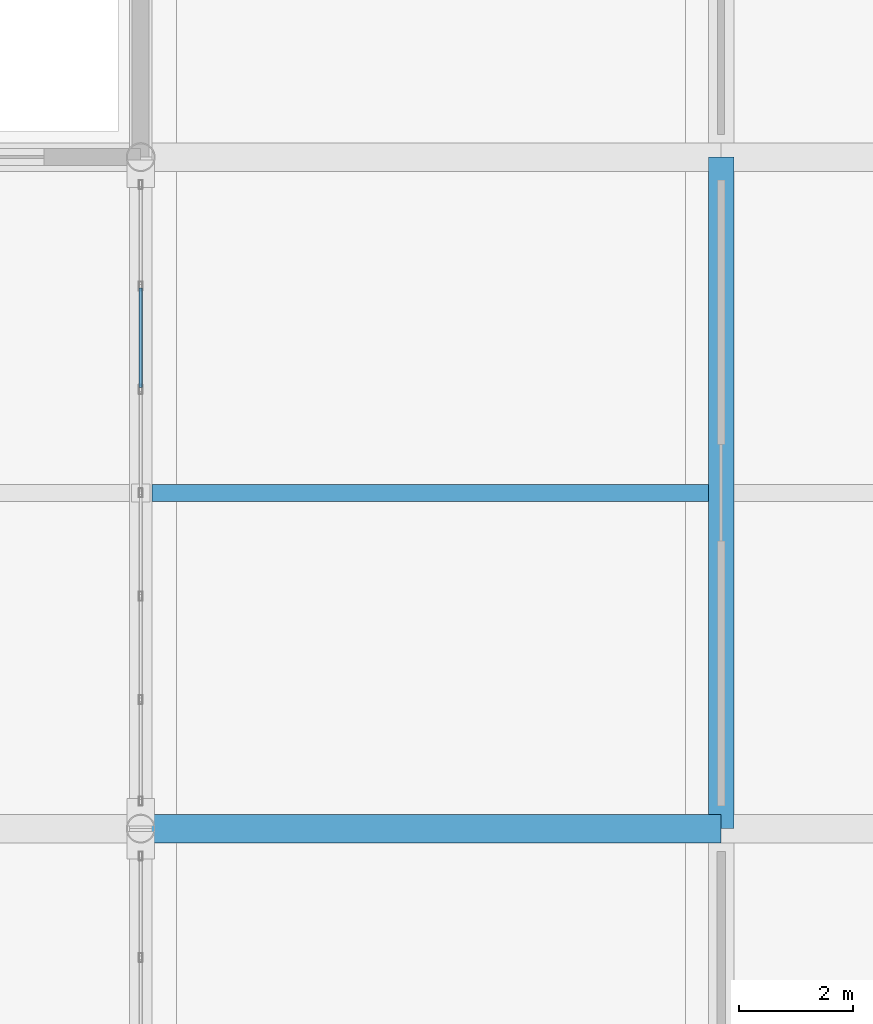
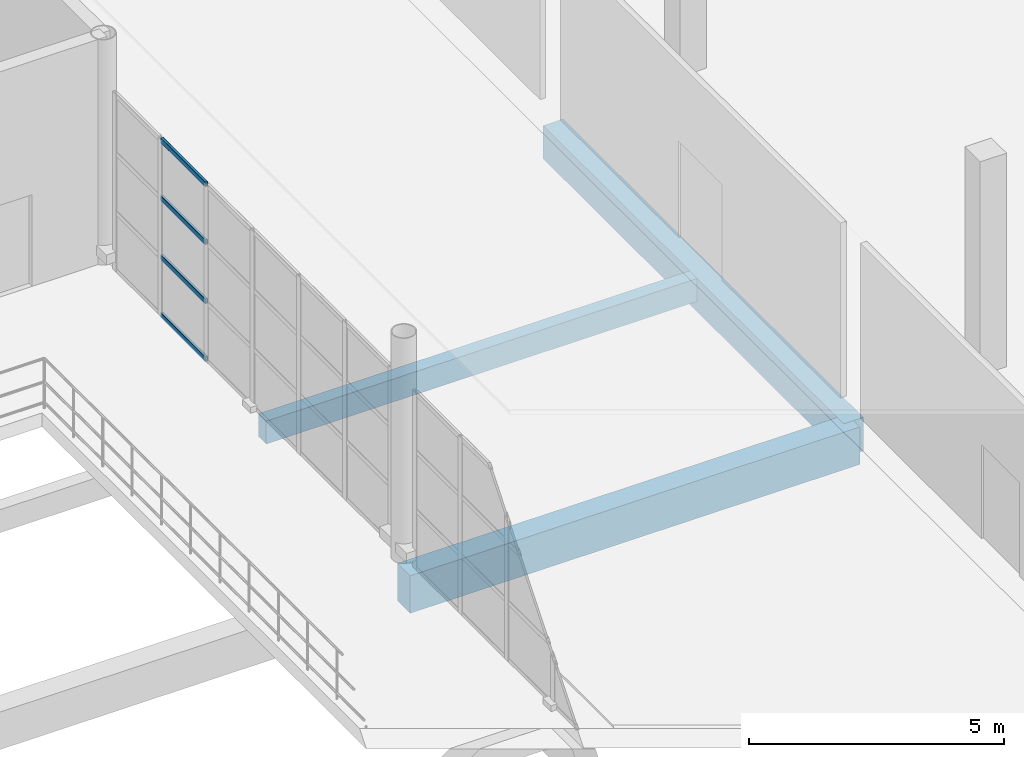
# One storey, part 73 of 175: 4 members, 3 beams, 1 element without a shape of its own.
"""IFC4 building model written with IfcOpenShell, lengths in metres."""

from ifc_helpers import new_model, si_unit, direction, frame, origin, origin_2d, place, context, subcontext, project, spatial, rectangle, hollow_rectangle, extrude, material, material_profile, profile_set, type_object, element, aggregate, save


model = new_model("IFC4")

# Units and contexts
model_context = context("Model", 3, precision=1e-05, world=origin(), true_north=direction((0.0, 1.0)))
body_context = subcontext(model_context, "Body", "Model", "MODEL_VIEW")
ifc_project = project(units=[si_unit("LENGTHUNIT", "METRE"), si_unit("AREAUNIT", "SQUARE_METRE"), si_unit("VOLUMEUNIT", "CUBIC_METRE"), si_unit("PLANEANGLEUNIT", "RADIAN"), si_unit("MASSUNIT", "GRAM", prefix="KILO")], contexts=[model_context])

# Site, building, storey
site_placement = place(None, origin())
site = spatial("IfcSite", under=ifc_project, at=site_placement, CompositionType="ELEMENT")
building_placement = place(site_placement, origin())
building = spatial("IfcBuilding", under=site, at=building_placement, Name="Brelvane Convention Centre", CompositionType="ELEMENT")
storey_placement = place(building_placement, frame((0.0, 0.0, 5.39990234375)))
storey = spatial("IfcBuildingStorey", under=building, at=storey_placement, Name="L01", CompositionType="ELEMENT", Elevation=5.39990234375)

# Curtain wall, members
ifc_material_1 = material(Name="Anodised Aluminium Alloy 6063-T6", Category="aluminium")
curtain_wall_type = type_object("IfcCurtainWallType", Name="Curtain Wall CW-CONC", PredefinedType="USERDEFINED", material=ifc_material_1)
curtain_wall_placement = place(storey_placement, origin())
curtain_wall = element("IfcCurtainWall", 1, at=curtain_wall_placement, inside=storey, type_object=curtain_wall_type, Name="Curtain Wall CW-CONC L01-GAL-ATRIUM-E-3", ObjectType="UNITISED", PredefinedType="USERDEFINED")
ifc_material_2 = material(Name="Anodised Aluminium Alloy 6063-T6", Category="aluminium")
ifc_material_profile_1 = material_profile(ifc_material_2, hollow_rectangle(XDim=0.06005859375, YDim=0.1201171875, WallThickness=0.00390625, InnerFilletRadius=0.00390625, OuterFilletRadius=0.008056640625, at=origin_2d()), Name="ALU-T 120x60x4.0")
ifc_profile_set_1 = profile_set([ifc_material_profile_1], Name="Anodised Aluminium Alloy 6063-T6")
member_type = type_object("IfcMemberType", Name="Curtain Transom CW-T3", PredefinedType="USERDEFINED", material=ifc_profile_set_1)
member_1_placement = place(storey_placement, frame((163.199951171875, 71.94921875, 0.030029296875), z_axis=(0.0, 1.0, 0.0), x_axis=(-1.0, 0.0, 0.0)))
member_1 = element("IfcMember", 2, at=member_1_placement, type_object=member_type, Name="CW-CONC transom 5.1", ObjectType="TRANSOM", PredefinedType="USERDEFINED", context=body_context, shape_type="SweptSolid", body=[
    extrude(hollow_rectangle(XDim=0.06005859375, YDim=0.1201171875, WallThickness=0.00390625, InnerFilletRadius=0.00390625, OuterFilletRadius=0.008056640625, at=origin_2d()), origin(), (0.0, 0.0, 1.0), 1.751708984375),
])
member_2_placement = place(storey_placement, frame((163.199951171875, 71.94921875, 1.416748046875), z_axis=(0.0, 1.0, 0.0), x_axis=(-1.0, 0.0, 0.0)))
member_2 = element("IfcMember", 3, at=member_2_placement, type_object=member_type, Name="CW-CONC transom 5.2", ObjectType="TRANSOM", PredefinedType="USERDEFINED", context=body_context, shape_type="SweptSolid", body=[
    extrude(hollow_rectangle(XDim=0.06005859375, YDim=0.1201171875, WallThickness=0.00390625, InnerFilletRadius=0.00390625, OuterFilletRadius=0.008056640625, at=origin_2d()), origin(), (0.0, 0.0, 1.0), 1.751708984375),
])
member_3_placement = place(storey_placement, frame((163.199951171875, 71.94921875, 2.83349609375), z_axis=(0.0, 1.0, 0.0), x_axis=(-1.0, 0.0, 0.0)))
member_3 = element("IfcMember", 4, at=member_3_placement, type_object=member_type, Name="CW-CONC transom 5.3", ObjectType="TRANSOM", PredefinedType="USERDEFINED", context=body_context, shape_type="SweptSolid", body=[
    extrude(hollow_rectangle(XDim=0.06005859375, YDim=0.1201171875, WallThickness=0.00390625, InnerFilletRadius=0.00390625, OuterFilletRadius=0.008056640625, at=origin_2d()), origin(), (0.0, 0.0, 1.0), 1.751708984375),
])
member_4_placement = place(storey_placement, frame((163.199951171875, 71.94921875, 4.22021484375), z_axis=(0.0, 1.0, 0.0), x_axis=(-1.0, 0.0, 0.0)))
member_4 = element("IfcMember", 5, at=member_4_placement, type_object=member_type, Name="CW-CONC transom 5.4", ObjectType="TRANSOM", PredefinedType="USERDEFINED", context=body_context, shape_type="SweptSolid", body=[
    extrude(hollow_rectangle(XDim=0.06005859375, YDim=0.1201171875, WallThickness=0.00390625, InnerFilletRadius=0.00390625, OuterFilletRadius=0.008056640625, at=origin_2d()), origin(), (0.0, 0.0, 1.0), 1.751708984375),
])
aggregate(curtain_wall, [member_1, member_2, member_3, member_4])

# Beams
ifc_material_3 = material(Name="Concrete M40", Category="concrete")
ifc_material_profile_2 = material_profile(ifc_material_3, rectangle(XDim=0.5, YDim=0.89990234375, at=origin_2d()), Name="RC 500x900")
ifc_profile_set_2 = profile_set([ifc_material_profile_2], Name="Concrete M40")
beam_type_1 = type_object("IfcBeamType", Name="RC Beam B-RC4 (RC 500x900)", PredefinedType="BEAM", material=ifc_profile_set_2)
beam_1_placement = place(storey_placement, frame((163.199951171875, 64.199951171875, -0.77001953125), z_axis=(1.0, 0.0, 0.0), x_axis=(0.0, 1.0, 0.0)))
element("IfcBeam", 6, at=beam_1_placement, inside=storey, type_object=beam_type_1, Name="L01 Beam 17-18/G", PredefinedType="BEAM", context=body_context, shape_type="SweptSolid", body=[
    extrude(rectangle(XDim=0.5, YDim=0.89990234375, at=origin_2d()), origin(), (0.0, 0.0, 1.0), 10.199951171875),
])
ifc_material_4 = material(Name="Concrete M40", Category="concrete")
ifc_material_profile_3 = material_profile(ifc_material_4, rectangle(XDim=0.449951171875, YDim=0.800048828125, at=origin_2d()), Name="RC 450x800")
ifc_profile_set_3 = profile_set([ifc_material_profile_3], Name="Concrete M40")
beam_type_2 = type_object("IfcBeamType", Name="RC Beam B-RC5 (RC 450x800)", PredefinedType="BEAM", material=ifc_profile_set_3)
beam_2_placement = place(storey_placement, frame((173.39990234375, 64.199951171875, -0.719970703125), z_axis=(0.0, 1.0, 0.0), x_axis=(-1.0, 0.0, 0.0)))
element("IfcBeam", 7, at=beam_2_placement, inside=storey, type_object=beam_type_2, Name="L01 Girder 18/G-H", PredefinedType="BEAM", context=body_context, shape_type="SweptSolid", body=[
    extrude(rectangle(XDim=0.449951171875, YDim=0.800048828125, at=origin_2d()), origin(), (0.0, 0.0, 1.0), 11.800048828125),
])
ifc_material_5 = material(Name="Concrete M40", Category="concrete")
ifc_material_profile_4 = material_profile(ifc_material_5, rectangle(XDim=0.300048828125, YDim=0.550048828125, at=origin_2d()), Name="RC 300x550")
ifc_profile_set_4 = profile_set([ifc_material_profile_4], Name="Concrete M40")
beam_type_3 = type_object("IfcBeamType", Name="RC Joist J-RC1 (RC 300x550)", PredefinedType="JOIST", material=ifc_profile_set_4)
beam_3_placement = place(storey_placement, frame((163.39990234375, 70.10009765625, -0.594970703125), z_axis=(1.0, 0.0, 0.0), x_axis=(0.0, 1.0, 0.0)))
element("IfcBeam", 8, at=beam_3_placement, inside=storey, type_object=beam_type_3, Name="L01 Secondary Joist 17-18/GH", PredefinedType="JOIST", context=body_context, shape_type="SweptSolid", body=[
    extrude(rectangle(XDim=0.300048828125, YDim=0.550048828125, at=origin_2d()), origin(), (0.0, 0.0, 1.0), 9.775146484375),
])

save(model, "model.ifc")
